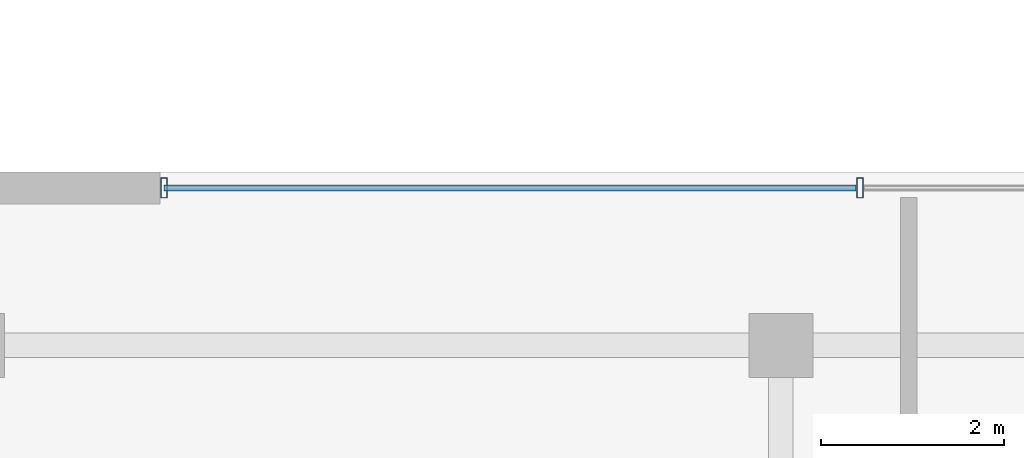
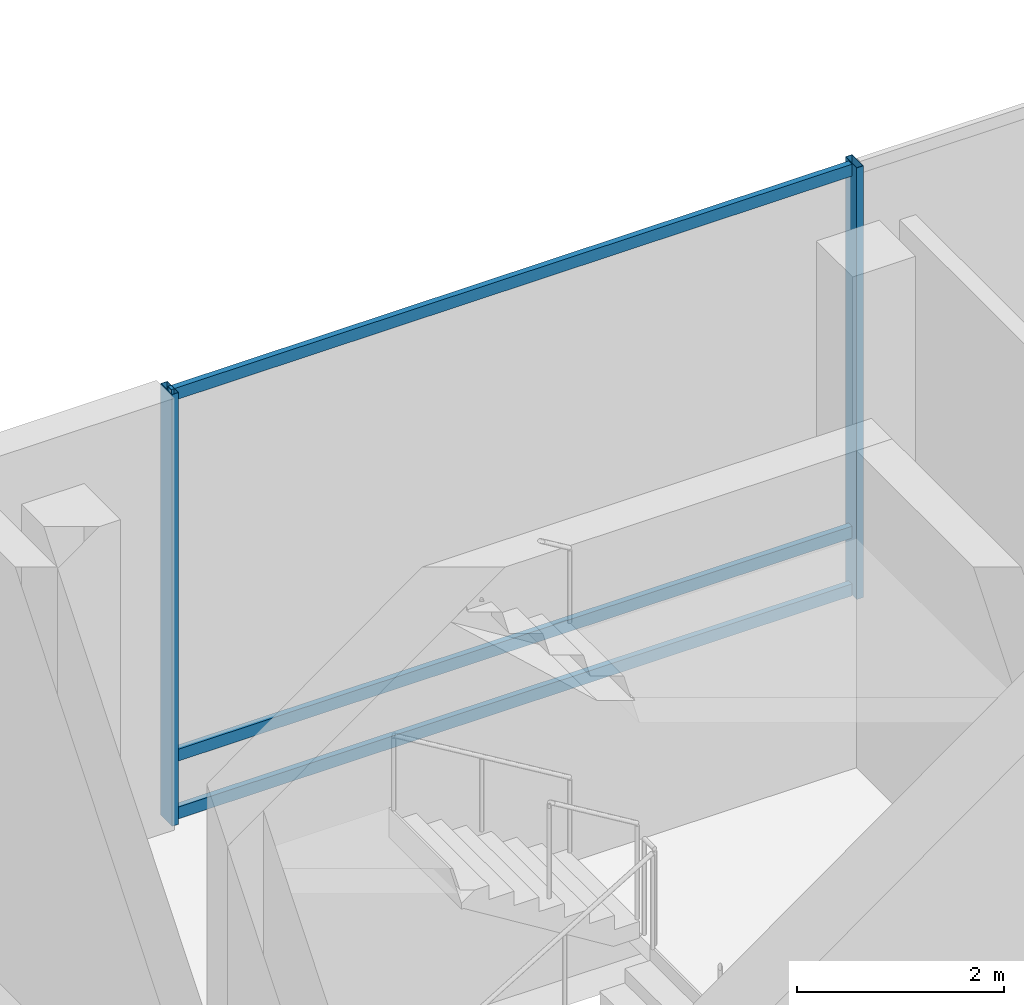
# One storey, part 21 of 36: 5 members, 1 element without a shape of its own.
"""IFC4 building model written with IfcOpenShell, lengths in metres."""

from ifc_helpers import new_model, si_unit, direction, frame, origin, origin_2d, place, context, subcontext, project, spatial, hollow_rectangle, extrude, material, layer, layer_set, material_profile, profile_set, type_object, element, aggregate, save


model = new_model("IFC4")

# Units and contexts
model_context = context("Model", 3, precision=1e-05, world=origin(), true_north=direction((0.0, 1.0)))
body_context = subcontext(model_context, "Body", "Model", "MODEL_VIEW")
ifc_project = project(units=[si_unit("LENGTHUNIT", "METRE"), si_unit("AREAUNIT", "SQUARE_METRE"), si_unit("VOLUMEUNIT", "CUBIC_METRE"), si_unit("PLANEANGLEUNIT", "RADIAN"), si_unit("MASSUNIT", "GRAM", prefix="KILO")], contexts=[model_context])

# Site, building, storey
site_placement = place(None, origin())
site = spatial("IfcSite", under=ifc_project, at=site_placement, CompositionType="ELEMENT")
building_placement = place(site_placement, origin())
building = spatial("IfcBuilding", under=site, at=building_placement, Name="Barlavira Tower and Art Museum", CompositionType="ELEMENT")
storey_placement = place(building_placement, frame((0.0, 0.0, 11.39990234375)))
storey = spatial("IfcBuildingStorey", under=building, at=storey_placement, Name="L02", CompositionType="ELEMENT", Elevation=11.39990234375)

# Curtain wall, members
ifc_material_1 = material(Name="Low-iron coastal laminated glass", Category="glass")
ifc_layer = layer(ifc_material_1, 0.199951171875, Name="Low-iron coastal laminated glass")
ifc_layer_set = layer_set([ifc_layer], Name="Low-iron coastal laminated glass")
curtain_wall_type = type_object("IfcCurtainWallType", Name="Coastal Art Museum North-Light Curtain Wall", PredefinedType="NOTDEFINED", material=ifc_layer_set)
curtain_wall_placement = place(storey_placement, origin())
curtain_wall = element("IfcCurtainWall", 1, at=curtain_wall_placement, inside=storey, type_object=curtain_wall_type, Name="L02 Curtain Wall CW6-MUS-L02-N", PredefinedType="NOTDEFINED")
ifc_material_2 = material(Name="Pale anodised aluminium", Category="aluminium")
ifc_material_profile_1 = material_profile(ifc_material_2, hollow_rectangle(XDim=0.074951171875, YDim=0.219970703125, WallThickness=0.0048828125, at=origin_2d()), Name="ALU-MULL 75x220x5")
ifc_profile_set_1 = profile_set([ifc_material_profile_1], Name="Pale anodised aluminium")
member_type_1 = type_object("IfcMemberType", Name="Curtain Wall Heavy Pale-Metal Mullion 75x220", PredefinedType="MULLION", material=ifc_profile_set_1)
member_1_placement = place(storey_placement, frame((39.666748046875, 23.824951171875, 0.0), z_axis=(0.0, 0.0, 1.0), x_axis=(-1.0, 0.0, 0.0)))
member_1 = element("IfcMember", 2, at=member_1_placement, type_object=member_type_1, Name="CW6-MUS-L02-N Mullion 2", PredefinedType="MULLION", context=body_context, shape_type="SweptSolid", body=[
    extrude(hollow_rectangle(XDim=0.074951171875, YDim=0.219970703125, WallThickness=0.0048828125, at=origin_2d()), origin(), (0.0, 0.0, 1.0), 5.080078125),
])
member_2_placement = place(storey_placement, frame((32.044921875, 23.824951171875, 0.0), z_axis=(0.0, 0.0, 1.0), x_axis=(-1.0, 0.0, 0.0)))
member_2 = element("IfcMember", 3, at=member_2_placement, type_object=member_type_1, Name="CW6-MUS-L02-N Mullion 3", PredefinedType="MULLION", context=body_context, shape_type="SweptSolid", body=[
    extrude(hollow_rectangle(XDim=0.074951171875, YDim=0.219970703125, WallThickness=0.0048828125, at=origin_2d()), origin(), (0.0, 0.0, 1.0), 5.080078125),
])
ifc_material_profile_2 = material_profile(ifc_material_2, hollow_rectangle(XDim=0.06494140625, YDim=0.139892578125, WallThickness=0.00390625, at=origin_2d()), Name="ALU-TRAN 65x140x4")
ifc_profile_set_2 = profile_set([ifc_material_profile_2], Name="Pale anodised aluminium")
member_type_2 = type_object("IfcMemberType", Name="Curtain Wall Pale-Metal Transom 65x140", PredefinedType="USERDEFINED", material=ifc_profile_set_2)
member_3_placement = place(storey_placement, frame((39.62158203125, 23.824951171875, 0.070068359375), z_axis=(-1.0, 0.0, 0.0), x_axis=(0.0, -1.0, 0.0)))
member_3 = element("IfcMember", 4, at=member_3_placement, type_object=member_type_2, Name="CW6-MUS-L02-N Transom 2.1", ObjectType="TRANSOM", PredefinedType="USERDEFINED", context=body_context, shape_type="SweptSolid", body=[
    extrude(hollow_rectangle(XDim=0.06494140625, YDim=0.139892578125, WallThickness=0.00390625, at=origin_2d()), origin(), (0.0, 0.0, 1.0), 7.57666015625),
])
member_4_placement = place(storey_placement, frame((39.62158203125, 23.824951171875, 0.75), z_axis=(-1.0, 0.0, 0.0), x_axis=(0.0, -1.0, 0.0)))
member_4 = element("IfcMember", 5, at=member_4_placement, type_object=member_type_2, Name="CW6-MUS-L02-N Transom 2.2", ObjectType="TRANSOM", PredefinedType="USERDEFINED", context=body_context, shape_type="SweptSolid", body=[
    extrude(hollow_rectangle(XDim=0.06494140625, YDim=0.139892578125, WallThickness=0.00390625, at=origin_2d()), origin(), (0.0, 0.0, 1.0), 7.57666015625),
])
member_5_placement = place(storey_placement, frame((39.62158203125, 23.824951171875, 5.010009765625), z_axis=(-1.0, 0.0, 0.0), x_axis=(0.0, -1.0, 0.0)))
member_5 = element("IfcMember", 6, at=member_5_placement, type_object=member_type_2, Name="CW6-MUS-L02-N Transom 2.3", ObjectType="TRANSOM", PredefinedType="USERDEFINED", context=body_context, shape_type="SweptSolid", body=[
    extrude(hollow_rectangle(XDim=0.06494140625, YDim=0.139892578125, WallThickness=0.00390625, at=origin_2d()), origin(), (0.0, 0.0, 1.0), 7.57666015625),
])
aggregate(curtain_wall, [member_1, member_2, member_3, member_4, member_5])

save(model, "model.ifc")
